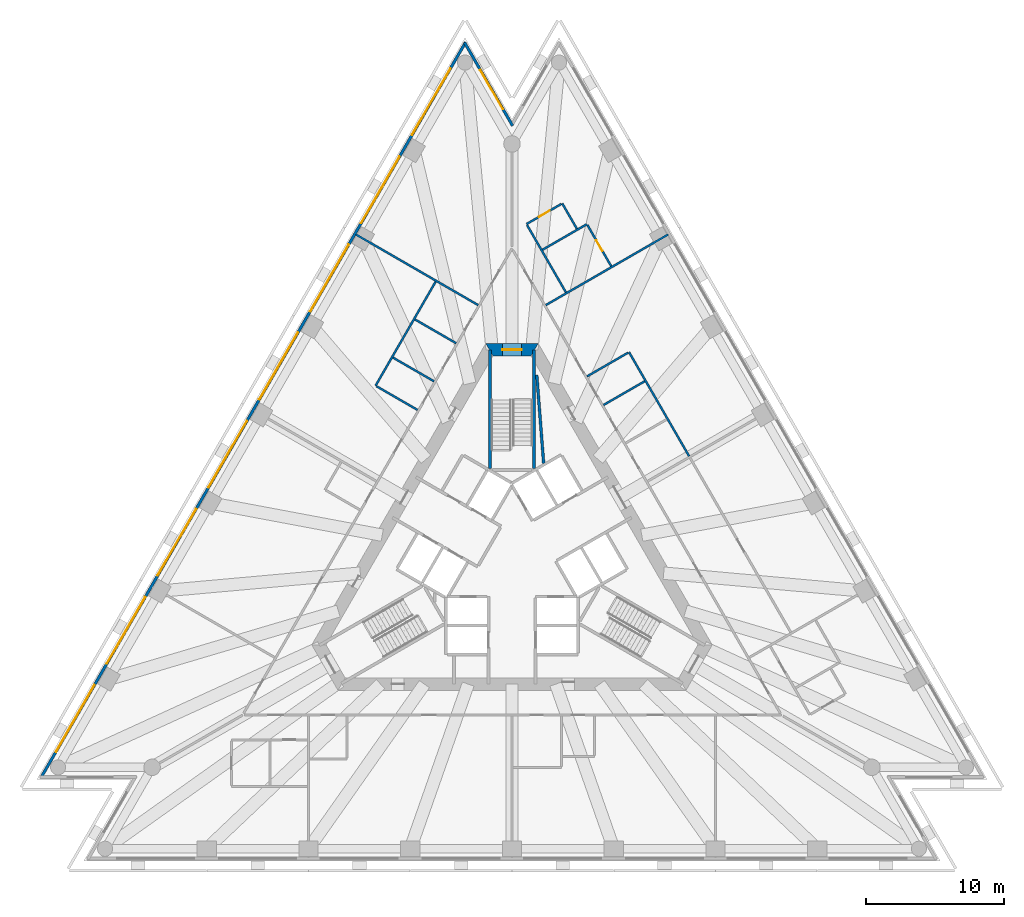
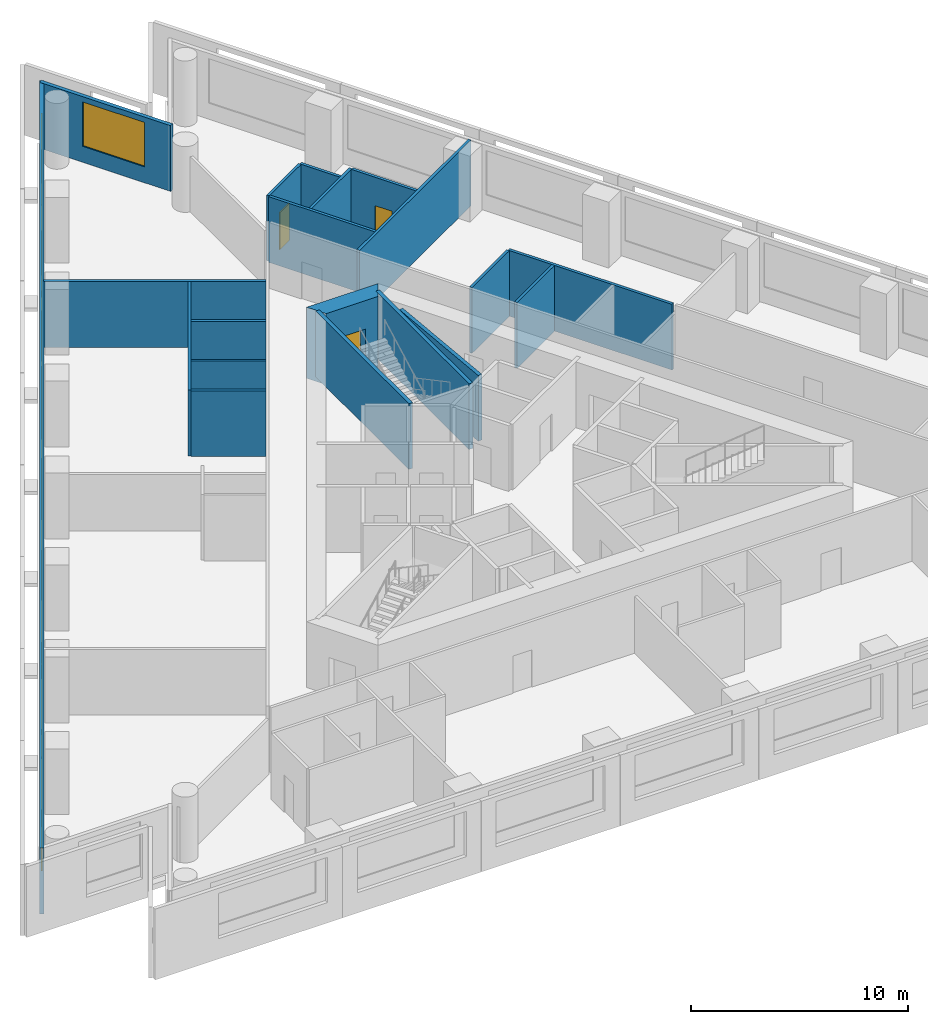
# One storey, part 7 of 11: 20 walls, 9 windows, 3 doors, 12 openings.
"""IFC4 building model written with IfcOpenShell, lengths in metres."""

from ifc_helpers import new_model, si_unit, direction, frame, frame_2d, origin, place, context, subcontext, project, spatial, polyline, rectangle, outline, extrude, material, layer, layer_set, layer_usage, type_object, element, fill, save


model = new_model("IFC4")

# Units and contexts
model_context = context("Model", 3, precision=1e-05, world=origin(), true_north=direction((0.0, 1.0)))
body_context = subcontext(model_context, "Body", "Model", "MODEL_VIEW")
ifc_project = project(units=[si_unit("LENGTHUNIT", "METRE"), si_unit("AREAUNIT", "SQUARE_METRE"), si_unit("VOLUMEUNIT", "CUBIC_METRE"), si_unit("PLANEANGLEUNIT", "RADIAN"), si_unit("MASSUNIT", "GRAM", prefix="KILO")], contexts=[model_context])

# Site, building, storey
site_placement = place(None, origin())
site = spatial("IfcSite", under=ifc_project, at=site_placement, CompositionType="ELEMENT")
building_placement = place(site_placement, origin())
building = spatial("IfcBuilding", under=site, at=building_placement, Name="Triada Interchange Tower", CompositionType="ELEMENT")
storey_placement = place(building_placement, frame((0.0, 0.0, 59.300048828125)))
storey = spatial("IfcBuildingStorey", under=building, at=storey_placement, Name="L12", CompositionType="ELEMENT", Elevation=59.300048828125)

# Walls
ifc_material_1 = material(Name="Concrete C30/37", Category="concrete")
ifc_layer_1 = layer(ifc_material_1, 0.199951171875)
ifc_layer_set_1 = layer_set([ifc_layer_1], Name="CORE WALL 200 EI 90")
wall_type_1 = type_object("IfcWallType", Name="CORE WALL 200 EI 90", PredefinedType="SOLIDWALL", material=ifc_layer_set_1)
wall_1_placement = place(storey_placement, frame((1.800048828125, 13.406005859375, 0.0), z_axis=(0.0, 0.0, 1.0), x_axis=(0.077809933421, -0.996968211259, 0.0)))
element("IfcWall", 1, at=wall_1_placement, inside=storey, type_object=wall_type_1, Name="Wall L12 86", PredefinedType="SOLIDWALL", context=body_context, shape_type="SweptSolid", body=[
    extrude(rectangle(XDim=6.4384765625, YDim=0.199951171875, at=frame_2d((3.21923828125, 0.0))), origin(), (0.0, 0.0, 1.0), 3.699951171875),
])
ifc_layer_2 = layer(ifc_material_1, 0.199951171875)
ifc_layer_set_2 = layer_set([ifc_layer_2], Name="CORE WALL 200 REI 240")
wall_type_2 = type_object("IfcWallType", Name="CORE WALL 200 REI 240", PredefinedType="SOLIDWALL", material=ifc_layer_set_2)
for number, where, z_axis, x_axis, name in (
    (2, (1.60009765625, 6.614990234375, 0.0), (0.0, 0.0, 1.0), (0.0, 1.0, 0.0), "Wall L12 90"),
    (3, (-1.60009765625, 6.614990234375, 0.0), (0.0, 0.0, 1.0), (0.0, 1.0, 0.0), "Wall L12 92"),
):
    element("IfcWall", number, at=place(storey_placement, frame(where, z_axis=z_axis, x_axis=x_axis)), inside=storey, type_object=wall_type_2, Name=name, PredefinedType="SOLIDWALL", context=body_context, shape_type="SweptSolid", body=[
        extrude(rectangle(XDim=8.614990234375, YDim=0.199951171875, at=frame_2d((4.3076171875, 0.0))), origin(), (0.0, 0.0, 1.0), 3.699951171875),
    ])

# Wall, opening, door
ifc_material_2 = material(Name="Concrete C70/85", Category="concrete")
ifc_layer_3 = layer(ifc_material_2, 0.89990234375)
ifc_layer_set_3 = layer_set([ifc_layer_3], Name="Core wall A 900")
wall_type_3 = type_object("IfcWallType", Name="Core wall A 900", PredefinedType="SHEAR", material=ifc_layer_set_3)
wall_2_placement = place(storey_placement, frame((1.64501953125, 15.25, -0.300048828125), z_axis=(0.0, 0.0, 1.0), x_axis=(-1.0, 0.0, 0.0)))
wall_2 = element("IfcWall", 4, at=wall_2_placement, inside=storey, type_object=wall_type_3, Name="Core wall WA01 L12", PredefinedType="SHEAR", context=body_context, shape_type="SweptSolid", body=[
    extrude(outline(polyline([(-0.260009765625, -0.449951171875), (1.64501953125, -0.449951171875), (3.550048828125, -0.449951171875), (3.031005859375, 0.449951171875), (1.64501953125, 0.449951171875), (0.259033203125, 0.449951171875), (-0.260009765625, -0.449951171875)])), origin(), (0.0, 0.0, 1.0), 4.0),
])
opening_1_placement = place(wall_2_placement, frame((0.945068359375, 0.0, 0.300048828125)))
opening_1 = element("IfcOpeningElement", 5, at=opening_1_placement, cuts=wall_2, Name="Opening D12-41", PredefinedType="OPENING", context=body_context, shape_type="SweptSolid", body=[
    extrude(rectangle(XDim=1.39990234375, YDim=2.10009765625, at=frame_2d((0.699951171875, 1.050048828125))), frame((0.0, 0.4599609375, 0.0), z_axis=(0.0, -1.0, 0.0), x_axis=(1.0, 0.0, 0.0)), (0.0, 0.0, 1.0), 0.919921875),
])
ifc_material_3 = material(Name="Steel S235 door leaf", Category="steel")
door_type_1 = type_object("IfcDoorType", Name="STAIR DOOR 1400 EI2 90-C5S200", OperationType="DOUBLE_DOOR_SINGLE_SWING", PredefinedType="DOOR", material=ifc_material_3)
door_1_placement = place(opening_1_placement, origin())
door_1 = element("IfcDoor", 6, at=door_1_placement, inside=storey, type_object=door_type_1, Name="Door D12-41 L12", OperationType="DOUBLE_DOOR_SINGLE_SWING", OverallHeight=2.10009765625, OverallWidth=1.39990234375, PredefinedType="DOOR", context=body_context, shape_type="SweptSolid", body=[
    extrude(rectangle(XDim=1.39990234375, YDim=2.10009765625, at=frame_2d((0.699951171875, 1.050048828125))), frame((0.0, 0.02490234375, 0.0), z_axis=(0.0, -1.0, 0.0), x_axis=(1.0, 0.0, 0.0)), (0.0, 0.0, 1.0), 0.050048828125),
])
fill(opening_1, door_1)

# Wall, openings, windows
ifc_material_4 = material(Name="Cement board")
ifc_layer_4 = layer(ifc_material_4, 0.02001953125, Name="Cement board cladding")
ifc_material_5 = material(Name="Sheathing board")
ifc_layer_5 = layer(ifc_material_5, 0.014892578125, Name="Sheathing board")
ifc_material_6 = material(Name="Mineral wool")
ifc_layer_6 = layer(ifc_material_6, 0.14990234375, Name="Mineral wool between steel studs")
ifc_material_7 = material(Name="Gypsum board")
ifc_layer_7 = layer(ifc_material_7, 0.014892578125, Name="Plasterboard lining")
ifc_layer_set_4 = layer_set([ifc_layer_4, ifc_layer_5, ifc_layer_6, ifc_layer_7], Name="External wall 200")
ifc_layer_usage = layer_usage(ifc_layer_set_4, "AXIS2", "POSITIVE", -0.10009765625)
wall_type_4 = type_object("IfcWallType", Name="External wall 200", PredefinedType="ELEMENTEDWALL", material=ifc_layer_set_4)
wall_3_placement = place(storey_placement, frame((-3.37109375, 37.591064453125, 0.0), z_axis=(0.0, 0.0, 1.0), x_axis=(-0.500006313899, -0.866021758423, 0.0)))
wall_3 = element("IfcWall", 7, at=wall_3_placement, inside=storey, type_object=wall_type_4, material=ifc_layer_usage, Name="External wall L12 NW", PredefinedType="ELEMENTEDWALL", context=body_context, shape_type="SweptSolid", body=[
    extrude(rectangle(XDim=61.718994140625, YDim=0.199951171875, at=frame_2d((30.859375, 0.0))), origin(), (0.0, 0.0, 1.0), 3.699951171875),
])
opening_2_placement = place(wall_3_placement, frame((2.197998046875, 0.0, 0.89990234375)))
opening_2 = element("IfcOpeningElement", 8, at=opening_2_placement, cuts=wall_3, Name="Opening WA01", PredefinedType="OPENING", context=body_context, shape_type="SweptSolid", body=[
    extrude(rectangle(XDim=5.60009765625, YDim=2.5, at=frame_2d((2.800048828125, 1.25))), frame((0.0, 0.10986328125, 0.0), z_axis=(0.0, -1.0, 0.0), x_axis=(1.0, 0.0, 0.0)), (0.0, 0.0, 1.0), 0.219970703125),
])
opening_3_placement = place(wall_3_placement, frame((9.590087890625, 0.0, 0.89990234375)))
opening_3 = element("IfcOpeningElement", 9, at=opening_3_placement, cuts=wall_3, Name="Opening WA02", PredefinedType="OPENING", context=body_context, shape_type="SweptSolid", body=[
    extrude(rectangle(XDim=5.60009765625, YDim=2.5, at=frame_2d((2.800048828125, 1.25))), frame((0.0, 0.10986328125, 0.0), z_axis=(0.0, -1.0, 0.0), x_axis=(1.0, 0.0, 0.0)), (0.0, 0.0, 1.0), 0.219970703125),
])
opening_4_placement = place(wall_3_placement, frame((16.98193359375, 0.0, 0.89990234375)))
opening_4 = element("IfcOpeningElement", 10, at=opening_4_placement, cuts=wall_3, Name="Opening WA03", PredefinedType="OPENING", context=body_context, shape_type="SweptSolid", body=[
    extrude(rectangle(XDim=5.60009765625, YDim=2.5, at=frame_2d((2.800048828125, 1.25))), frame((0.0, 0.10986328125, 0.0), z_axis=(0.0, -1.0, 0.0), x_axis=(1.0, 0.0, 0.0)), (0.0, 0.0, 1.0), 0.219970703125),
])
opening_5_placement = place(wall_3_placement, frame((24.373046875, 0.0, 0.89990234375)))
opening_5 = element("IfcOpeningElement", 11, at=opening_5_placement, cuts=wall_3, Name="Opening WA04", PredefinedType="OPENING", context=body_context, shape_type="SweptSolid", body=[
    extrude(rectangle(XDim=5.60009765625, YDim=2.5, at=frame_2d((2.800048828125, 1.25))), frame((0.0, 0.10986328125, 0.0), z_axis=(0.0, -1.0, 0.0), x_axis=(1.0, 0.0, 0.0)), (0.0, 0.0, 1.0), 0.219970703125),
])
opening_6_placement = place(wall_3_placement, frame((31.764892578125, 0.0, 0.89990234375)))
opening_6 = element("IfcOpeningElement", 12, at=opening_6_placement, cuts=wall_3, Name="Opening WA05", PredefinedType="OPENING", context=body_context, shape_type="SweptSolid", body=[
    extrude(rectangle(XDim=5.60009765625, YDim=2.5, at=frame_2d((2.800048828125, 1.25))), frame((0.0, 0.10986328125, 0.0), z_axis=(0.0, -1.0, 0.0), x_axis=(1.0, 0.0, 0.0)), (0.0, 0.0, 1.0), 0.219970703125),
])
opening_7_placement = place(wall_3_placement, frame((39.156982421875, 0.0, 0.89990234375)))
opening_7 = element("IfcOpeningElement", 13, at=opening_7_placement, cuts=wall_3, Name="Opening WA06", PredefinedType="OPENING", context=body_context, shape_type="SweptSolid", body=[
    extrude(rectangle(XDim=5.60009765625, YDim=2.5, at=frame_2d((2.800048828125, 1.25))), frame((0.0, 0.10986328125, 0.0), z_axis=(0.0, -1.0, 0.0), x_axis=(1.0, 0.0, 0.0)), (0.0, 0.0, 1.0), 0.219970703125),
])
opening_8_placement = place(wall_3_placement, frame((46.548095703125, 0.0, 0.89990234375)))
opening_8 = element("IfcOpeningElement", 14, at=opening_8_placement, cuts=wall_3, Name="Opening WA07", PredefinedType="OPENING", context=body_context, shape_type="SweptSolid", body=[
    extrude(rectangle(XDim=5.60009765625, YDim=2.5, at=frame_2d((2.800048828125, 1.25))), frame((0.0, 0.10986328125, 0.0), z_axis=(0.0, -1.0, 0.0), x_axis=(1.0, 0.0, 0.0)), (0.0, 0.0, 1.0), 0.219970703125),
])
opening_9_placement = place(wall_3_placement, frame((53.93994140625, 0.0, 0.89990234375)))
opening_9 = element("IfcOpeningElement", 15, at=opening_9_placement, cuts=wall_3, Name="Opening WA08", PredefinedType="OPENING", context=body_context, shape_type="SweptSolid", body=[
    extrude(rectangle(XDim=5.60009765625, YDim=2.5, at=frame_2d((2.800048828125, 1.25))), frame((0.0, 0.10986328125, 0.0), z_axis=(0.0, -1.0, 0.0), x_axis=(1.0, 0.0, 0.0)), (0.0, 0.0, 1.0), 0.219970703125),
])
ifc_material_8 = material(Name="Double glazed aluminium window", Category="aluminium")
window_type_1 = type_object("IfcWindowType", Name="Ribbon window A face", PartitioningType="SINGLE_PANEL", PredefinedType="WINDOW", material=ifc_material_8)
window_1_placement = place(opening_2_placement, origin())
window_1 = element("IfcWindow", 16, at=window_1_placement, inside=storey, type_object=window_type_1, Name="Window L12 NW 1", OverallHeight=2.5, OverallWidth=5.60009765625, PartitioningType="SINGLE_PANEL", PredefinedType="WINDOW", context=body_context, shape_type="SweptSolid", body=[
    extrude(rectangle(XDim=5.60009765625, YDim=2.5, at=frame_2d((2.800048828125, 1.25))), frame((0.0, 0.030029296875, 0.0), z_axis=(0.0, -1.0, 0.0), x_axis=(1.0, 0.0, 0.0)), (0.0, 0.0, 1.0), 0.06005859375),
])
fill(opening_2, window_1)
window_2_placement = place(opening_3_placement, origin())
window_2 = element("IfcWindow", 17, at=window_2_placement, inside=storey, type_object=window_type_1, Name="Window L12 NW 2", OverallHeight=2.5, OverallWidth=5.60009765625, PartitioningType="SINGLE_PANEL", PredefinedType="WINDOW", context=body_context, shape_type="SweptSolid", body=[
    extrude(rectangle(XDim=5.60009765625, YDim=2.5, at=frame_2d((2.800048828125, 1.25))), frame((0.0, 0.030029296875, 0.0), z_axis=(0.0, -1.0, 0.0), x_axis=(1.0, 0.0, 0.0)), (0.0, 0.0, 1.0), 0.06005859375),
])
fill(opening_3, window_2)
window_3_placement = place(opening_4_placement, origin())
window_3 = element("IfcWindow", 18, at=window_3_placement, inside=storey, type_object=window_type_1, Name="Window L12 NW 3", OverallHeight=2.5, OverallWidth=5.60009765625, PartitioningType="SINGLE_PANEL", PredefinedType="WINDOW", context=body_context, shape_type="SweptSolid", body=[
    extrude(rectangle(XDim=5.60009765625, YDim=2.5, at=frame_2d((2.800048828125, 1.25))), frame((0.0, 0.030029296875, 0.0), z_axis=(0.0, -1.0, 0.0), x_axis=(1.0, 0.0, 0.0)), (0.0, 0.0, 1.0), 0.06005859375),
])
fill(opening_4, window_3)
window_4_placement = place(opening_5_placement, origin())
window_4 = element("IfcWindow", 19, at=window_4_placement, inside=storey, type_object=window_type_1, Name="Window L12 NW 4", OverallHeight=2.5, OverallWidth=5.60009765625, PartitioningType="SINGLE_PANEL", PredefinedType="WINDOW", context=body_context, shape_type="SweptSolid", body=[
    extrude(rectangle(XDim=5.60009765625, YDim=2.5, at=frame_2d((2.800048828125, 1.25))), frame((0.0, 0.030029296875, 0.0), z_axis=(0.0, -1.0, 0.0), x_axis=(1.0, 0.0, 0.0)), (0.0, 0.0, 1.0), 0.06005859375),
])
fill(opening_5, window_4)
window_5_placement = place(opening_6_placement, origin())
window_5 = element("IfcWindow", 20, at=window_5_placement, inside=storey, type_object=window_type_1, Name="Window L12 NW 5", OverallHeight=2.5, OverallWidth=5.60009765625, PartitioningType="SINGLE_PANEL", PredefinedType="WINDOW", context=body_context, shape_type="SweptSolid", body=[
    extrude(rectangle(XDim=5.60009765625, YDim=2.5, at=frame_2d((2.800048828125, 1.25))), frame((0.0, 0.030029296875, 0.0), z_axis=(0.0, -1.0, 0.0), x_axis=(1.0, 0.0, 0.0)), (0.0, 0.0, 1.0), 0.06005859375),
])
fill(opening_6, window_5)
window_6_placement = place(opening_7_placement, origin())
window_6 = element("IfcWindow", 21, at=window_6_placement, inside=storey, type_object=window_type_1, Name="Window L12 NW 6", OverallHeight=2.5, OverallWidth=5.60009765625, PartitioningType="SINGLE_PANEL", PredefinedType="WINDOW", context=body_context, shape_type="SweptSolid", body=[
    extrude(rectangle(XDim=5.60009765625, YDim=2.5, at=frame_2d((2.800048828125, 1.25))), frame((0.0, 0.030029296875, 0.0), z_axis=(0.0, -1.0, 0.0), x_axis=(1.0, 0.0, 0.0)), (0.0, 0.0, 1.0), 0.06005859375),
])
fill(opening_7, window_6)
window_7_placement = place(opening_8_placement, origin())
window_7 = element("IfcWindow", 22, at=window_7_placement, inside=storey, type_object=window_type_1, Name="Window L12 NW 7", OverallHeight=2.5, OverallWidth=5.60009765625, PartitioningType="SINGLE_PANEL", PredefinedType="WINDOW", context=body_context, shape_type="SweptSolid", body=[
    extrude(rectangle(XDim=5.60009765625, YDim=2.5, at=frame_2d((2.800048828125, 1.25))), frame((0.0, 0.030029296875, 0.0), z_axis=(0.0, -1.0, 0.0), x_axis=(1.0, 0.0, 0.0)), (0.0, 0.0, 1.0), 0.06005859375),
])
fill(opening_8, window_7)
window_8_placement = place(opening_9_placement, origin())
window_8 = element("IfcWindow", 23, at=window_8_placement, inside=storey, type_object=window_type_1, Name="Window L12 NW 8", OverallHeight=2.5, OverallWidth=5.60009765625, PartitioningType="SINGLE_PANEL", PredefinedType="WINDOW", context=body_context, shape_type="SweptSolid", body=[
    extrude(rectangle(XDim=5.60009765625, YDim=2.5, at=frame_2d((2.800048828125, 1.25))), frame((0.0, 0.030029296875, 0.0), z_axis=(0.0, -1.0, 0.0), x_axis=(1.0, 0.0, 0.0)), (0.0, 0.0, 1.0), 0.06005859375),
])
fill(opening_9, window_8)

# Wall, opening, window
wall_4_placement = place(storey_placement, frame((0.044921875, 31.51806640625, 0.0), z_axis=(0.0, 0.0, 1.0), x_axis=(-0.499943085557, 0.86605826086, 0.0)))
wall_4 = element("IfcWall", 24, at=wall_4_placement, inside=storey, type_object=wall_type_4, material=ifc_layer_usage, Name="External wall L12 N-2", PredefinedType="ELEMENTEDWALL", context=body_context, shape_type="SweptSolid", body=[
    extrude(rectangle(XDim=6.992431640625, YDim=0.199951171875, at=frame_2d((3.49609375, 0.0))), origin(), (0.0, 0.0, 1.0), 3.699951171875),
])
opening_10_placement = place(wall_4_placement, frame((1.389892578125, 0.0, 0.89990234375)))
opening_10 = element("IfcOpeningElement", 25, at=opening_10_placement, cuts=wall_4, Name="Opening WA30", PredefinedType="OPENING", context=body_context, shape_type="SweptSolid", body=[
    extrude(rectangle(XDim=3.300048828125, YDim=2.5, at=frame_2d((1.64990234375, 1.25))), frame((0.0, 0.10986328125, 0.0), z_axis=(0.0, -1.0, 0.0), x_axis=(1.0, 0.0, 0.0)), (0.0, 0.0, 1.0), 0.219970703125),
])
window_type_2 = type_object("IfcWindowType", Name="Ribbon window A pocket", PartitioningType="SINGLE_PANEL", PredefinedType="WINDOW", material=ifc_material_8)
window_9_placement = place(opening_10_placement, origin())
window_9 = element("IfcWindow", 26, at=window_9_placement, inside=storey, type_object=window_type_2, Name="Window L12 N-2 1", OverallHeight=2.5, OverallWidth=3.300048828125, PartitioningType="SINGLE_PANEL", PredefinedType="WINDOW", context=body_context, shape_type="SweptSolid", body=[
    extrude(rectangle(XDim=3.300048828125, YDim=2.5, at=frame_2d((1.64990234375, 1.25))), frame((0.0, 0.030029296875, 0.0), z_axis=(0.0, -1.0, 0.0), x_axis=(1.0, 0.0, 0.0)), (0.0, 0.0, 1.0), 0.06005859375),
])
fill(opening_10, window_9)

# Walls
ifc_material_9 = material(Name="Gypsum board partition")
ifc_layer_8 = layer(ifc_material_9, 0.14990234375)
ifc_layer_set_5 = layer_set([ifc_layer_8], Name="PARTITION 150 EI 180")
wall_type_5 = type_object("IfcWallType", Name="PARTITION 150 EI 180", PredefinedType="PARTITIONING", material=ifc_layer_set_5)
wall_5_placement = place(storey_placement, frame((-11.344970703125, 23.6201171875, 0.0), z_axis=(0.0, 0.0, 1.0), x_axis=(0.866010033384, -0.500026621369, 0.0)))
element("IfcWall", 27, at=wall_5_placement, inside=storey, type_object=wall_type_5, Name="Wall L12 13", PredefinedType="PARTITIONING", context=body_context, shape_type="SweptSolid", body=[
    extrude(rectangle(XDim=10.259765625, YDim=0.14990234375, at=frame_2d((5.1298828125, 0.0))), origin(), (0.0, 0.0, 1.0), 3.699951171875),
])
wall_6_placement = place(storey_placement, frame((-9.912109375, 12.631103515625, 0.0), z_axis=(0.0, 0.0, 1.0), x_axis=(0.49992187278, 0.866070505857, 0.0)))
element("IfcWall", 28, at=wall_6_placement, inside=storey, type_object=wall_type_5, Name="Wall L12 14", PredefinedType="PARTITIONING", context=body_context, shape_type="SweptSolid", body=[
    extrude(rectangle(XDim=8.7255859375, YDim=0.14990234375, at=frame_2d((4.36279296875, 0.0))), origin(), (0.0, 0.0, 1.0), 3.699951171875),
])
wall_7_placement = place(storey_placement, frame((-9.846923828125, 12.593994140625, 0.0), z_axis=(0.0, 0.0, 1.0), x_axis=(0.865942736565, -0.500143156496, 0.0)))
element("IfcWall", 29, at=wall_7_placement, inside=storey, type_object=wall_type_5, Name="Wall L12 15", PredefinedType="PARTITIONING", context=body_context, shape_type="SweptSolid", body=[
    extrude(rectangle(XDim=3.44921875, YDim=0.14990234375, at=frame_2d((1.724609375, 0.0))), origin(), (0.0, 0.0, 1.0), 3.699951171875),
])
for number, where, z_axis, x_axis, name in (
    (30, (-8.64697265625, 14.672119140625, 0.0), (0.0, 0.0, 1.0), (0.865960440485, -0.500112502858, 0.0), "Wall L12 16"),
    (31, (-7.047119140625, 17.444091796875, 0.0), (0.0, 0.0, 1.0), (0.865960440485, -0.500112502858, 0.0), "Wall L12 17"),
):
    element("IfcWall", number, at=place(storey_placement, frame(where, z_axis=z_axis, x_axis=x_axis)), inside=storey, type_object=wall_type_5, Name=name, PredefinedType="PARTITIONING", context=body_context, shape_type="SweptSolid", body=[
        extrude(rectangle(XDim=3.449462890625, YDim=0.14990234375, at=frame_2d((1.724609375, 0.0))), origin(), (0.0, 0.0, 1.0), 3.699951171875),
    ])
wall_8_placement = place(storey_placement, frame((2.4599609375, 18.489990234375, 0.0), z_axis=(0.0, 0.0, 1.0), x_axis=(0.866010033384, 0.500026621369, 0.0)))
element("IfcWall", 32, at=wall_8_placement, inside=storey, type_object=wall_type_5, Name="Wall L12 23", PredefinedType="PARTITIONING", context=body_context, shape_type="SweptSolid", body=[
    extrude(rectangle(XDim=10.259765625, YDim=0.14990234375, at=frame_2d((5.1298828125, 0.0))), origin(), (0.0, 0.0, 1.0), 3.699951171875),
])
wall_9_placement = place(storey_placement, frame((8.50390625, 15.070068359375, 0.0), z_axis=(0.0, 0.0, 1.0), x_axis=(0.500042162787, -0.86600105972, 0.0)))
element("IfcWall", 33, at=wall_9_placement, inside=storey, type_object=wall_type_5, Name="Wall L12 26", PredefinedType="PARTITIONING", context=body_context, shape_type="SweptSolid", body=[
    extrude(rectangle(XDim=8.725341796875, YDim=0.14990234375, at=frame_2d((4.36279296875, 0.0))), origin(), (0.0, 0.0, 1.0), 3.699951171875),
])
for number, where, z_axis, x_axis, name in (
    (34, (5.450927734375, 13.30810546875, 0.0), (0.0, 0.0, 1.0), (0.866061862632, 0.499936846106, 0.0), "Wall L12 27"),
    (35, (6.65087890625, 11.22900390625, 0.0), (0.0, 0.0, 1.0), (0.866031223622, 0.49998991961, 0.0), "Wall L12 28"),
):
    element("IfcWall", number, at=place(storey_placement, frame(where, z_axis=z_axis, x_axis=x_axis)), inside=storey, type_object=wall_type_5, Name=name, PredefinedType="PARTITIONING", context=body_context, shape_type="SweptSolid", body=[
        extrude(rectangle(XDim=3.4501953125, YDim=0.14990234375, at=frame_2d((1.72509765625, 0.0))), origin(), (0.0, 0.0, 1.0), 3.699951171875),
    ])
ifc_layer_9 = layer(ifc_material_9, 0.14990234375)
ifc_layer_set_6 = layer_set([ifc_layer_9], Name="PARTITION 150 EI 90")
wall_type_6 = type_object("IfcWallType", Name="PARTITION 150 EI 90", PredefinedType="PARTITIONING", material=ifc_layer_set_6)
wall_10_placement = place(storey_placement, frame((2.218017578125, 22.508056640625, 0.0), z_axis=(0.0, 0.0, 1.0), x_axis=(0.866085180849, 0.499896448792, 0.0)))
element("IfcWall", 36, at=wall_10_placement, inside=storey, type_object=wall_type_6, Name="Wall L12 36", PredefinedType="PARTITIONING", context=body_context, shape_type="SweptSolid", body=[
    extrude(rectangle(XDim=3.724853515625, YDim=0.14990234375, at=frame_2d((1.8623046875, 0.0))), origin(), (0.0, 0.0, 1.0), 3.699951171875),
])
wall_11_placement = place(storey_placement, frame((3.65087890625, 25.875, 0.0), z_axis=(0.0, 0.0, 1.0), x_axis=(0.500302479123, -0.865850696935, 0.0)))
element("IfcWall", 37, at=wall_11_placement, inside=storey, type_object=wall_type_6, Name="Wall L12 37", PredefinedType="PARTITIONING", context=body_context, shape_type="SweptSolid", body=[
    extrude(rectangle(XDim=2.125244140625, YDim=0.14990234375, at=frame_2d((1.0625, 0.0))), origin(), (0.0, 0.0, 1.0), 3.699951171875),
])

# Wall, opening, door
wall_12_placement = place(storey_placement, frame((1.052978515625, 24.375, 0.0), z_axis=(0.0, 0.0, 1.0), x_axis=(0.866036909293, 0.499980071345, 0.0)))
wall_12 = element("IfcWall", 38, at=wall_12_placement, inside=storey, type_object=wall_type_6, Name="Wall L12 39", PredefinedType="PARTITIONING", context=body_context, shape_type="SweptSolid", body=[
    extrude(rectangle(XDim=2.92578125, YDim=0.14990234375, at=frame_2d((1.462890625, 0.0))), origin(), (0.0, 0.0, 1.0), 3.699951171875),
])
opening_11_placement = place(wall_12_placement, frame((1.051025390625, 0.0, 0.0)))
opening_11 = element("IfcOpeningElement", 39, at=opening_11_placement, cuts=wall_12, Name="Opening D12-31", PredefinedType="OPENING", context=body_context, shape_type="SweptSolid", body=[
    extrude(rectangle(XDim=0.89990234375, YDim=2.10009765625, at=frame_2d((0.449951171875, 1.050048828125))), frame((0.0, 0.0849609375, 0.0), z_axis=(0.0, -1.0, 0.0), x_axis=(1.0, 0.0, 0.0)), (0.0, 0.0, 1.0), 0.169921875),
])
door_type_2 = type_object("IfcDoorType", Name="SERVICE DOOR 900 EI2 45-C5S200", OperationType="NOTDEFINED", PredefinedType="DOOR", material=ifc_material_3)
door_2_placement = place(opening_11_placement, origin())
door_2 = element("IfcDoor", 40, at=door_2_placement, inside=storey, type_object=door_type_2, Name="Door D12-31 L12", OperationType="SINGLE_SWING_RIGHT", OverallHeight=2.10009765625, OverallWidth=0.89990234375, PredefinedType="DOOR", context=body_context, shape_type="SweptSolid", body=[
    extrude(rectangle(XDim=0.89990234375, YDim=2.10009765625, at=frame_2d((0.449951171875, 1.050048828125))), frame((0.0, 0.02490234375, 0.0), z_axis=(0.0, -1.0, 0.0), x_axis=(1.0, 0.0, 0.0)), (0.0, 0.0, 1.0), 0.050048828125),
])
fill(opening_11, door_2)

# Wall
wall_13_placement = place(storey_placement, frame((1.091064453125, 24.31005859375, 0.0), z_axis=(0.0, 0.0, 1.0), x_axis=(0.499991765245, -0.86603015807, 0.0)))
element("IfcWall", 41, at=wall_13_placement, inside=storey, type_object=wall_type_6, Name="Wall L12 40", PredefinedType="PARTITIONING", context=body_context, shape_type="SweptSolid", body=[
    extrude(rectangle(XDim=5.64990234375, YDim=0.14990234375, at=frame_2d((2.824951171875, 0.0))), origin(), (0.0, 0.0, 1.0), 3.699951171875),
])

# Wall, opening, door
wall_14_placement = place(storey_placement, frame((5.48193359375, 24.304931640625, 0.0), z_axis=(0.0, 0.0, 1.0), x_axis=(0.49998991961, -0.866031223622, 0.0)))
wall_14 = element("IfcWall", 42, at=wall_14_placement, inside=storey, type_object=wall_type_6, Name="Wall L12 42", PredefinedType="PARTITIONING", context=body_context, shape_type="SweptSolid", body=[
    extrude(rectangle(XDim=3.4501953125, YDim=0.14990234375, at=frame_2d((1.72509765625, 0.0))), origin(), (0.0, 0.0, 1.0), 3.699951171875),
])
opening_12_placement = place(wall_14_placement, frame((1.27490234375, 0.0, 0.0)))
opening_12 = element("IfcOpeningElement", 43, at=opening_12_placement, cuts=wall_14, Name="Opening D12-30", PredefinedType="OPENING", context=body_context, shape_type="SweptSolid", body=[
    extrude(rectangle(XDim=0.89990234375, YDim=2.10009765625, at=frame_2d((0.449951171875, 1.050048828125))), frame((0.0, 0.0849609375, 0.0), z_axis=(0.0, -1.0, 0.0), x_axis=(1.0, 0.0, 0.0)), (0.0, 0.0, 1.0), 0.169921875),
])
door_type_3 = type_object("IfcDoorType", Name="ROOM DOOR 900 EI2 45-C5S200", OperationType="NOTDEFINED", PredefinedType="DOOR", material=ifc_material_3)
door_3_placement = place(opening_12_placement, origin())
door_3 = element("IfcDoor", 44, at=door_3_placement, inside=storey, type_object=door_type_3, Name="Door D12-30 L12", OperationType="SINGLE_SWING_LEFT", OverallHeight=2.10009765625, OverallWidth=0.89990234375, PredefinedType="DOOR", context=body_context, shape_type="SweptSolid", body=[
    extrude(rectangle(XDim=0.89990234375, YDim=2.10009765625, at=frame_2d((0.449951171875, 1.050048828125))), frame((0.0, 0.02490234375, 0.0), z_axis=(0.0, -1.0, 0.0), x_axis=(1.0, 0.0, 0.0)), (0.0, 0.0, 1.0), 0.050048828125),
])
fill(opening_12, door_3)

save(model, "model.ifc")
